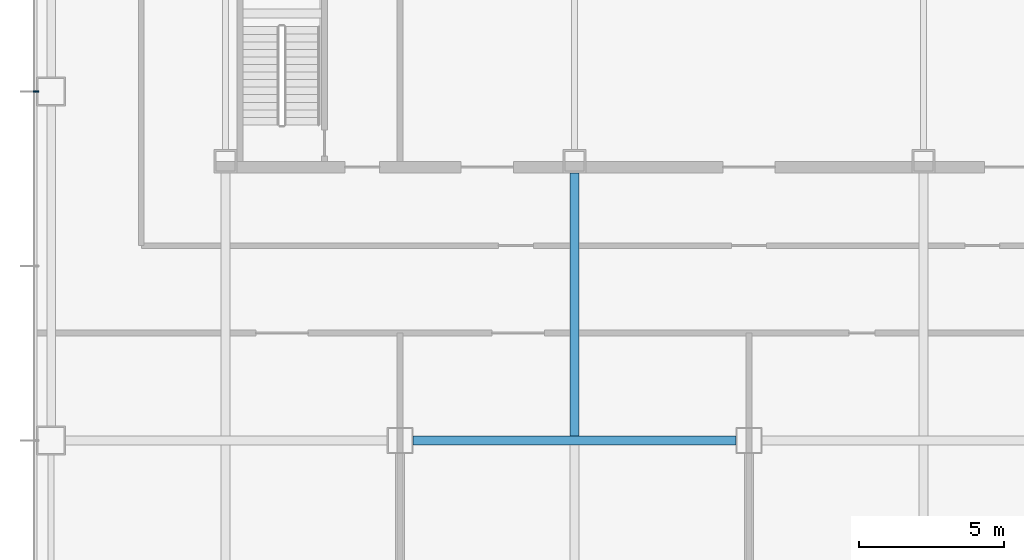
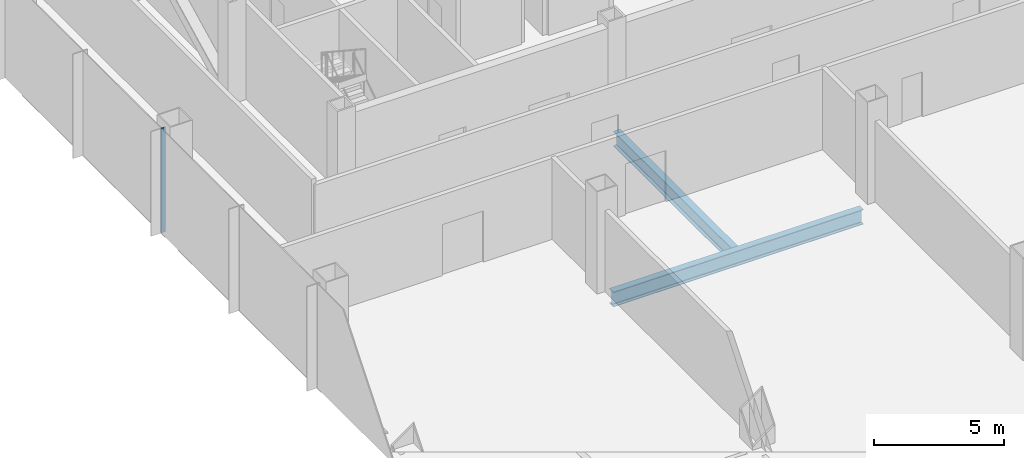
# One storey, part 6 of 34: 2 beams, 1 member, 1 element without a shape of its own.
"""IFC4 building model written with IfcOpenShell, lengths in metres."""

from ifc_helpers import new_model, si_unit, direction, frame, origin, origin_2d, place, context, subcontext, project, spatial, rectangle, i_section, extrude, material, material_profile, profile_set, type_object, element, aggregate, save


model = new_model("IFC4")

# Units and contexts
model_context = context("Model", 3, precision=1e-05, world=origin(), true_north=direction((0.0, 1.0)))
body_context = subcontext(model_context, "Body", "Model", "MODEL_VIEW")
ifc_project = project(units=[si_unit("LENGTHUNIT", "METRE"), si_unit("AREAUNIT", "SQUARE_METRE"), si_unit("VOLUMEUNIT", "CUBIC_METRE"), si_unit("PLANEANGLEUNIT", "RADIAN"), si_unit("MASSUNIT", "GRAM", prefix="KILO")], contexts=[model_context])

# Site, building, storey
site_placement = place(None, origin())
site = spatial("IfcSite", under=ifc_project, at=site_placement, CompositionType="ELEMENT")
building_placement = place(site_placement, origin())
building = spatial("IfcBuilding", under=site, at=building_placement, Name="Sorahane Residences", CompositionType="ELEMENT")
storey_placement = place(building_placement, frame((0.0, 0.0, 39.60009765625)))
storey = spatial("IfcBuildingStorey", under=building, at=storey_placement, Name="L06", CompositionType="ELEMENT", Elevation=39.60009765625)

# Curtain wall, member
ifc_material_1 = material(Name="Dark low-e glass and black anodised aluminium", Category="aluminium")
curtain_wall_type = type_object("IfcCurtainWallType", Name="Curtain wall CW-3 Podium unitised wall", PredefinedType="NOTDEFINED", material=ifc_material_1)
curtain_wall_placement = place(storey_placement, origin())
curtain_wall = element("IfcCurtainWall", 1, at=curtain_wall_placement, inside=storey, type_object=curtain_wall_type, Name="CW-3 curtain wall L06 W1", PredefinedType="NOTDEFINED")
ifc_material_2 = material(Name="Black anodised aluminium", Category="aluminium")
ifc_material_profile_1 = material_profile(ifc_material_2, rectangle(XDim=0.199951171875, YDim=0.050048828125, at=origin_2d()), Name="Curtain wall mullion CW-3 black anodised aluminium 50x200")
ifc_profile_set_1 = profile_set([ifc_material_profile_1], Name="Black anodised aluminium")
member_type = type_object("IfcMemberType", Name="Curtain wall mullion CW-3 black anodised aluminium 50x200", PredefinedType="MULLION", material=ifc_profile_set_1)
member_placement = place(storey_placement, frame((-0.52001953125, 24.0, -0.400146484375), z_axis=(0.0, 0.0, 1.0), x_axis=(-1.0, 0.0, 0.0)))
member = element("IfcMember", 2, at=member_placement, type_object=member_type, Name="CW-3 mullion L06 W1.5", PredefinedType="MULLION", context=body_context, shape_type="SweptSolid", body=[
    extrude(rectangle(XDim=0.199951171875, YDim=0.050048828125, at=origin_2d()), origin(), (0.0, 0.0, 1.0), 4.900146484375),
])
aggregate(curtain_wall, [member])

# Beams
ifc_material_3 = material(Name="Steel Q355B", Category="steel")
ifc_material_profile_2 = material_profile(ifc_material_3, i_section(OverallWidth=0.300048828125, OverallDepth=0.699951171875, WebThickness=0.012939453125, FlangeThickness=0.02392578125, FilletRadius=0.028076171875, at=origin_2d()), Name="HN 700x300x13x24")
ifc_profile_set_2 = profile_set([ifc_material_profile_2], Name="Steel Q355B")
beam_type = type_object("IfcBeamType", Name="Steel floor beam HN 700x300x13x24 Q355B", PredefinedType="BEAM", material=ifc_profile_set_2)
beam_1_placement = place(storey_placement, frame((12.449951171875, 12.0, -0.75), z_axis=(1.0, 0.0, 0.0), x_axis=(0.0, 1.0, 0.0)))
element("IfcBeam", 3, at=beam_1_placement, inside=storey, type_object=beam_type, Name="Beam L06 009", PredefinedType="BEAM", context=body_context, shape_type="SweptSolid", body=[
    extrude(i_section(OverallWidth=0.300048828125, OverallDepth=0.699951171875, WebThickness=0.012939453125, FlangeThickness=0.02392578125, FilletRadius=0.028076171875, at=origin_2d()), origin(), (0.0, 0.0, 1.0), 11.10009765625),
])
beam_2_placement = place(storey_placement, frame((18.0, 12.14990234375, -0.75), z_axis=(0.0, 1.0, 0.0), x_axis=(-1.0, 0.0, 0.0)))
element("IfcBeam", 4, at=beam_2_placement, inside=storey, type_object=beam_type, Name="Beam L06 039", PredefinedType="BEAM", context=body_context, shape_type="SweptSolid", body=[
    extrude(i_section(OverallWidth=0.300048828125, OverallDepth=0.699951171875, WebThickness=0.012939453125, FlangeThickness=0.02392578125, FilletRadius=0.028076171875, at=origin_2d()), origin(), (0.0, 0.0, 1.0), 9.050048828125),
])

save(model, "model.ifc")
